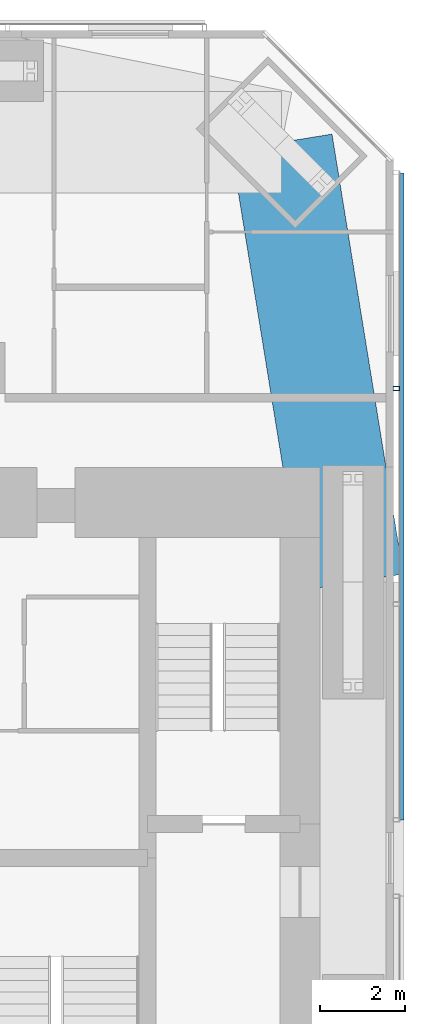
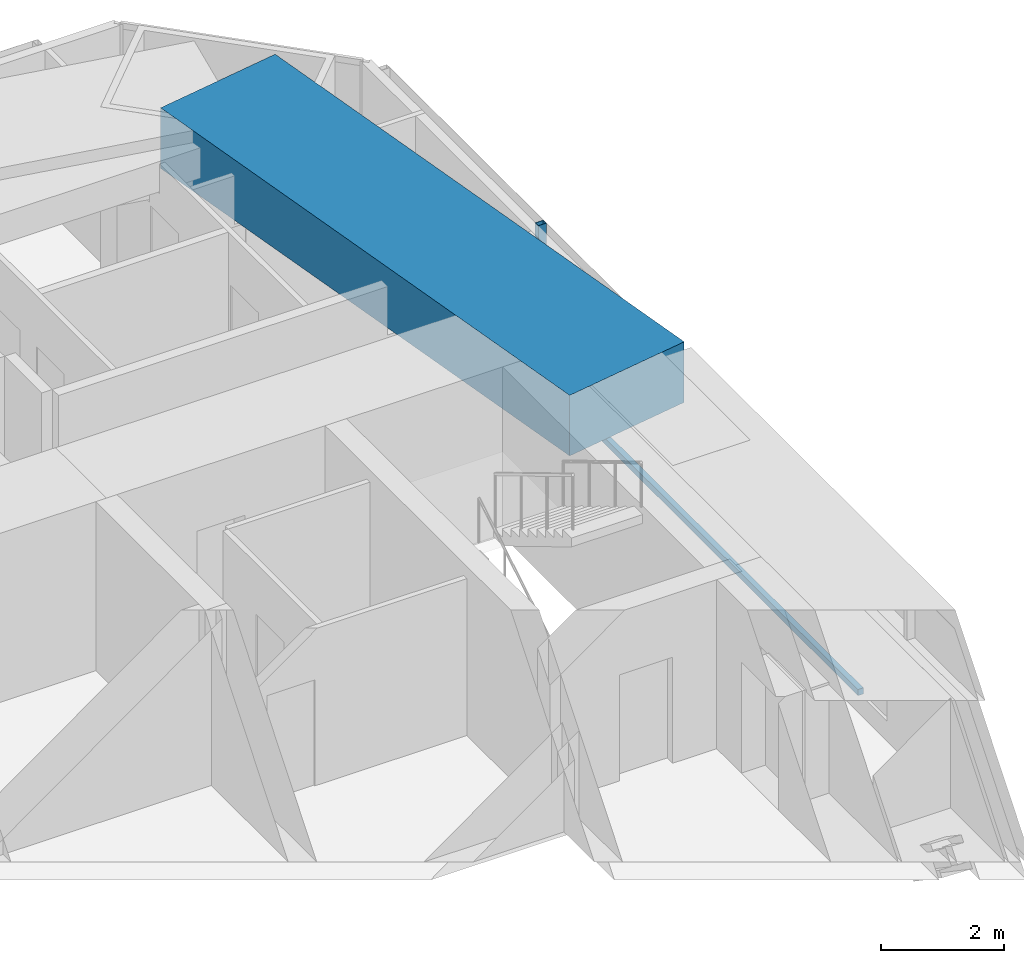
# One storey, part 9 of 22: 2 members, 1 beam, 1 element without a shape of its own.
"""IFC4 building model written with IfcOpenShell, lengths in metres."""

from ifc_helpers import new_model, si_unit, direction, frame, origin, origin_2d, place, context, subcontext, project, spatial, rectangle, hollow_rectangle, extrude, material, material_profile, profile_set, type_object, element, aggregate, save


model = new_model("IFC4")

# Units and contexts
model_context = context("Model", 3, precision=1e-05, world=origin(), true_north=direction((0.0, 1.0)))
body_context = subcontext(model_context, "Body", "Model", "MODEL_VIEW")
ifc_project = project(units=[si_unit("LENGTHUNIT", "METRE"), si_unit("AREAUNIT", "SQUARE_METRE"), si_unit("VOLUMEUNIT", "CUBIC_METRE"), si_unit("PLANEANGLEUNIT", "RADIAN"), si_unit("MASSUNIT", "GRAM", prefix="KILO")], contexts=[model_context])

# Site, building, storey
site_placement = place(None, origin())
site = spatial("IfcSite", under=ifc_project, at=site_placement, CompositionType="ELEMENT")
building_placement = place(site_placement, origin())
building = spatial("IfcBuilding", under=site, at=building_placement, Name="Jalousie Tower", CompositionType="ELEMENT")
storey_placement = place(building_placement, frame((0.0, 0.0, 67.89990234375)))
storey = spatial("IfcBuildingStorey", under=building, at=storey_placement, Name="L18", CompositionType="ELEMENT", Elevation=67.89990234375)

# Beam
ifc_material_1 = material(Name="Concrete f'c 40 MPa", Category="concrete")
ifc_material_profile_1 = material_profile(ifc_material_1, rectangle(XDim=2.39990234375, YDim=1.199951171875, at=origin_2d()), Name="RC 2400x1200")
ifc_profile_set_1 = profile_set([ifc_material_profile_1], Name="Concrete f'c 40 MPa")
beam_type = type_object("IfcBeamType", Name="RC BEAM 2400x1200", PredefinedType="BEAM", material=ifc_profile_set_1)
beam_placement = place(storey_placement, frame((45.050048828125, 25.0, 2.75), z_axis=(-0.160070546476, 0.987105577003, 0.0), x_axis=(-0.987105577003, -0.160070546476, 0.0)))
element("IfcBeam", 1, at=beam_placement, inside=storey, type_object=beam_type, Name="Edge band beam 07-08 under L19", PredefinedType="BEAM", context=body_context, shape_type="SweptSolid", body=[
    extrude(rectangle(XDim=2.39990234375, YDim=1.199951171875, at=origin_2d()), origin(), (0.0, 0.0, 1.0), 10.504150390625),
])

# Curtain wall, members
ifc_material_2 = material(Name="Perforated aluminium sheet", Category="aluminium")
curtain_wall_type = type_object("IfcCurtainWallType", Name="SOLAR SCREEN SS-1", PredefinedType="USERDEFINED", material=ifc_material_2)
curtain_wall_placement = place(storey_placement, origin())
curtain_wall = element("IfcCurtainWall", 2, at=curtain_wall_placement, inside=storey, type_object=curtain_wall_type, Name="Solar screen L18", ObjectType="SOLAR SCREEN SS-1", PredefinedType="USERDEFINED")
ifc_material_3 = material(Name="Steel ASTM A500 Grade C", Category="steel")
ifc_material_profile_2 = material_profile(ifc_material_3, hollow_rectangle(XDim=0.1015625, YDim=0.15234375, WallThickness=0.00634765625, at=origin_2d()), Name="HSS6X4X1/4")
ifc_profile_set_2 = profile_set([ifc_material_profile_2], Name="Steel ASTM A500 Grade C")
member_type_1 = type_object("IfcMemberType", Name="SOLAR SCREEN SS-1 MULLION", PredefinedType="MULLION", material=ifc_profile_set_2)
member_1_placement = place(storey_placement, frame((46.0712890625, 29.56591796875, -0.119873046875), z_axis=(0.0, 0.0, 1.0), x_axis=(0.0, 1.0, 0.0)))
member_1 = element("IfcMember", 3, at=member_1_placement, type_object=member_type_1, Name="SS1 post 3", PredefinedType="MULLION", context=body_context, shape_type="SweptSolid", body=[
    extrude(hollow_rectangle(XDim=0.1015625, YDim=0.15234375, WallThickness=0.00634765625, at=origin_2d()), origin(), (0.0, 0.0, 1.0), 3.22998046875),
])
ifc_material_4 = material(Name="Extruded aluminium screen rail", Category="aluminium")
ifc_material_profile_3 = material_profile(ifc_material_4, rectangle(XDim=0.1015625, YDim=0.1201171875, at=origin_2d()), Name="RAIL 102x120")
ifc_profile_set_3 = profile_set([ifc_material_profile_3], Name="Extruded aluminium screen rail")
member_type_2 = type_object("IfcMemberType", Name="SOLAR SCREEN SS-1 TRANSOM", PredefinedType="USERDEFINED", material=ifc_profile_set_3)
member_2_placement = place(storey_placement, frame((46.1982421875, 19.39990234375, -0.059814453125), z_axis=(0.0, 1.0, 0.0), x_axis=(-1.0, 0.0, 0.0)))
member_2 = element("IfcMember", 4, at=member_2_placement, type_object=member_type_2, Name="SS1 rail", ObjectType="TRANSOM", PredefinedType="USERDEFINED", context=body_context, shape_type="SweptSolid", body=[
    extrude(rectangle(XDim=0.1015625, YDim=0.1201171875, at=origin_2d()), origin(), (0.0, 0.0, 1.0), 15.248779296875),
])
aggregate(curtain_wall, [member_1, member_2])

save(model, "model.ifc")
